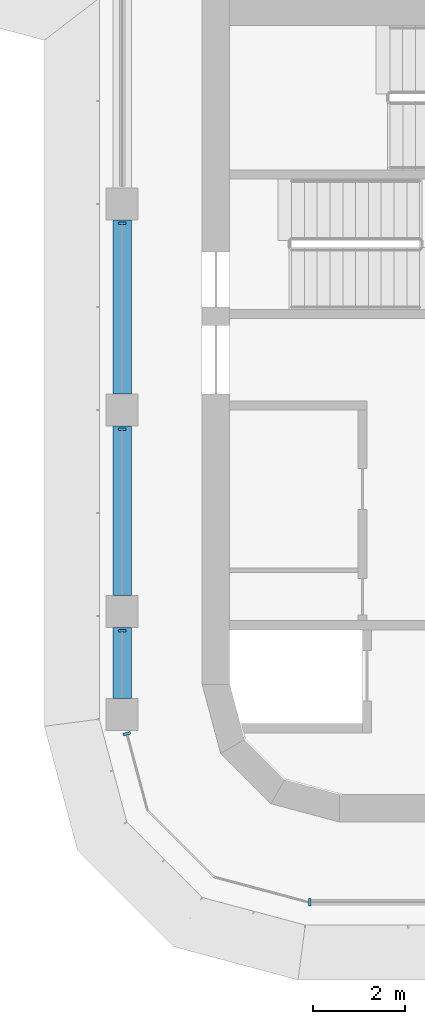
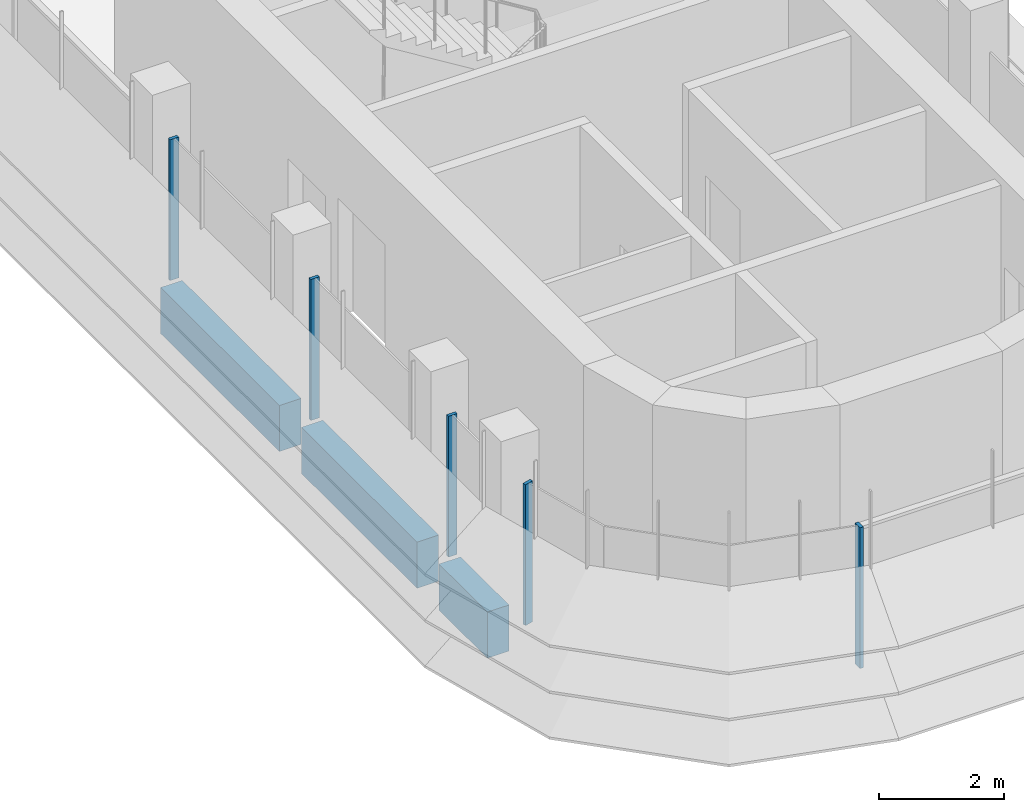
# One storey, part 2 of 18: 5 members, 3 beams, 3 elements without a shape of their own.
"""IFC4 building model written with IfcOpenShell, lengths in metres."""

from ifc_helpers import new_model, si_unit, direction, frame, origin, origin_2d, place, context, subcontext, project, spatial, polyline, rectangle, outline, extrude, source, transform, mapped, material, material_profile, profile_set, type_object, element, aggregate, save


model = new_model("IFC4")

# Units and contexts
model_context = context("Model", 3, precision=1e-05, world=origin(), true_north=direction((0.0, 1.0)))
body_context = subcontext(model_context, "Body", "Model", "MODEL_VIEW")
ifc_project = project(units=[si_unit("LENGTHUNIT", "METRE"), si_unit("AREAUNIT", "SQUARE_METRE"), si_unit("VOLUMEUNIT", "CUBIC_METRE"), si_unit("PLANEANGLEUNIT", "RADIAN"), si_unit("MASSUNIT", "GRAM", prefix="KILO")], contexts=[model_context])

# Site, building, storey
site_placement = place(None, origin())
site = spatial("IfcSite", under=ifc_project, at=site_placement, CompositionType="ELEMENT")
building_placement = place(site_placement, origin())
building = spatial("IfcBuilding", under=site, at=building_placement, Name="Zarbagh Exchange Tower", CompositionType="ELEMENT")
storey_placement = place(building_placement, frame((0.0, 0.0, 206.800048828125)))
storey = spatial("IfcBuildingStorey", under=building, at=storey_placement, Name="L50", CompositionType="ELEMENT", Elevation=206.800048828125)

# Beams
ifc_material_1 = material(Name="Concrete C50/60", Category="concrete")
ifc_material_profile = material_profile(ifc_material_1, rectangle(XDim=0.39990234375, YDim=0.89990234375, at=origin_2d()), Name="RC spandrel beam 400 x 900 C50/60")
ifc_profile_set = profile_set([ifc_material_profile], Name="Concrete C50/60")
beam_type = type_object("IfcBeamType", Name="RC spandrel beam 400 x 900 C50/60", PredefinedType="SPANDREL", material=ifc_profile_set)
beam_1_placement = place(storey_placement, frame((-6.25, -26.550048828125, -0.60009765625), z_axis=(0.0, 1.0, 0.0), x_axis=(-1.0, 0.0, 0.0)))
element("IfcBeam", 1, at=beam_1_placement, inside=storey, type_object=beam_type, Name="RC spandrel beam", PredefinedType="SPANDREL", context=body_context, shape_type="SweptSolid", body=[
    extrude(rectangle(XDim=0.39990234375, YDim=0.89990234375, at=origin_2d()), origin(), (0.0, 0.0, 1.0), 1.550048828125),
])
beam_2_placement = place(storey_placement, frame((-6.25, -24.300048828125, -0.60009765625), z_axis=(0.0, 1.0, 0.0), x_axis=(-1.0, 0.0, 0.0)))
element("IfcBeam", 2, at=beam_2_placement, inside=storey, type_object=beam_type, Name="RC spandrel beam", PredefinedType="SPANDREL", context=body_context, shape_type="SweptSolid", body=[
    extrude(rectangle(XDim=0.39990234375, YDim=0.89990234375, at=origin_2d()), origin(), (0.0, 0.0, 1.0), 3.699951171875),
])
beam_3_placement = place(storey_placement, frame((-6.25, -19.89990234375, -0.60009765625), z_axis=(0.0, 1.0, 0.0), x_axis=(-1.0, 0.0, 0.0)))
element("IfcBeam", 3, at=beam_3_placement, inside=storey, type_object=beam_type, Name="RC spandrel beam", PredefinedType="SPANDREL", context=body_context, shape_type="SweptSolid", body=[
    extrude(rectangle(XDim=0.39990234375, YDim=0.89990234375, at=origin_2d()), origin(), (0.0, 0.0, 1.0), 3.7998046875),
])

# Curtain wall, members
ifc_material_2 = material(Name="Anodised aluminium frame and glazing", Category="aluminium")
curtain_wall_type = type_object("IfcCurtainWallType", Name="CWB Ribbon glazing, upper zones", PredefinedType="NOTDEFINED", material=ifc_material_2)
curtain_wall_1_placement = place(storey_placement, origin())
curtain_wall_1 = element("IfcCurtainWall", 4, at=curtain_wall_1_placement, inside=storey, type_object=curtain_wall_type, Name="CWB53 curtain wall", PredefinedType="NOTDEFINED")
ifc_material_3 = material(Name="Anodised aluminium frame", Category="aluminium")
member_type = type_object("IfcMemberType", Name="MUB Mullion, anodised aluminium frame", PredefinedType="MULLION", material=ifc_material_3)
shared_shape = source(origin(), body_context, "Body", "SweptSolid", [
    extrude(outline(polyline([(0.0, -0.080078125), (0.06005859375, -0.080078125), (0.06005859375, 0.080078125), (0.0, 0.080078125), (0.0, -0.080078125)])), origin(), (0.0, 0.0, 1.0), 2.75),
])
placement = place(storey_placement, origin())
member_1 = element("IfcMember", 5, at=placement, type_object=member_type, Name="CWB53 mullion 2.1", PredefinedType="MULLION", context=body_context, shape_type="MappedRepresentation", body=[
    mapped(shared_shape, transform((-6.25, -16.14013671875, 0.0), x_axis=(0.0, -1.0, 0.0), y_axis=(1.0, 0.0, 0.0), z_axis=(0.0, 0.0, 1.0))),
])
member_2 = element("IfcMember", 6, at=placement, type_object=member_type, Name="CWB53 mullion 3.1", PredefinedType="MULLION", context=body_context, shape_type="MappedRepresentation", body=[
    mapped(shared_shape, transform((-6.25, -20.64013671875, 0.0), x_axis=(0.0, -1.0, 0.0), y_axis=(1.0, 0.0, 0.0), z_axis=(0.0, 0.0, 1.0))),
])
member_3 = element("IfcMember", 7, at=placement, type_object=member_type, Name="CWB53 mullion 4.1", PredefinedType="MULLION", context=body_context, shape_type="MappedRepresentation", body=[
    mapped(shared_shape, transform((-6.25, -25.0400390625, 0.0), x_axis=(0.0, -1.0, 0.0), y_axis=(1.0, 0.0, 0.0), z_axis=(0.0, 0.0, 1.0))),
])
aggregate(curtain_wall_1, [member_1, member_2, member_3])

# Curtain wall, member
curtain_wall_2_placement = place(storey_placement, origin())
curtain_wall_2 = element("IfcCurtainWall", 8, at=curtain_wall_2_placement, inside=storey, type_object=curtain_wall_type, Name="CWB54 curtain wall", PredefinedType="NOTDEFINED")
member_4 = element("IfcMember", 9, at=placement, type_object=member_type, Name="CWB54 mullion 1.1", PredefinedType="MULLION", context=body_context, shape_type="MappedRepresentation", body=[
    mapped(shared_shape, transform((-6.154541015625, -27.2900390625, 0.0), x_axis=(0.258824779902, -0.965924289636, 0.0), y_axis=(0.965924289636, 0.258824779902, 0.0), z_axis=(0.0, 0.0, 1.0))),
])
aggregate(curtain_wall_2, [member_4])

curtain_wall_3_placement = place(storey_placement, origin())
curtain_wall_3 = element("IfcCurtainWall", 10, at=curtain_wall_3_placement, inside=storey, type_object=curtain_wall_type, Name="CWB57 curtain wall", PredefinedType="NOTDEFINED")
member_5 = element("IfcMember", 11, at=placement, type_object=member_type, Name="CWB57 mullion 1.1", PredefinedType="MULLION", context=body_context, shape_type="MappedRepresentation", body=[
    mapped(shared_shape, transform((-2.18408203125, -31.0, 0.0), x_axis=(1.0, 0.0, 0.0), y_axis=(0.0, 1.0, 0.0), z_axis=(0.0, 0.0, 1.0))),
])
aggregate(curtain_wall_3, [member_5])

save(model, "model.ifc")
